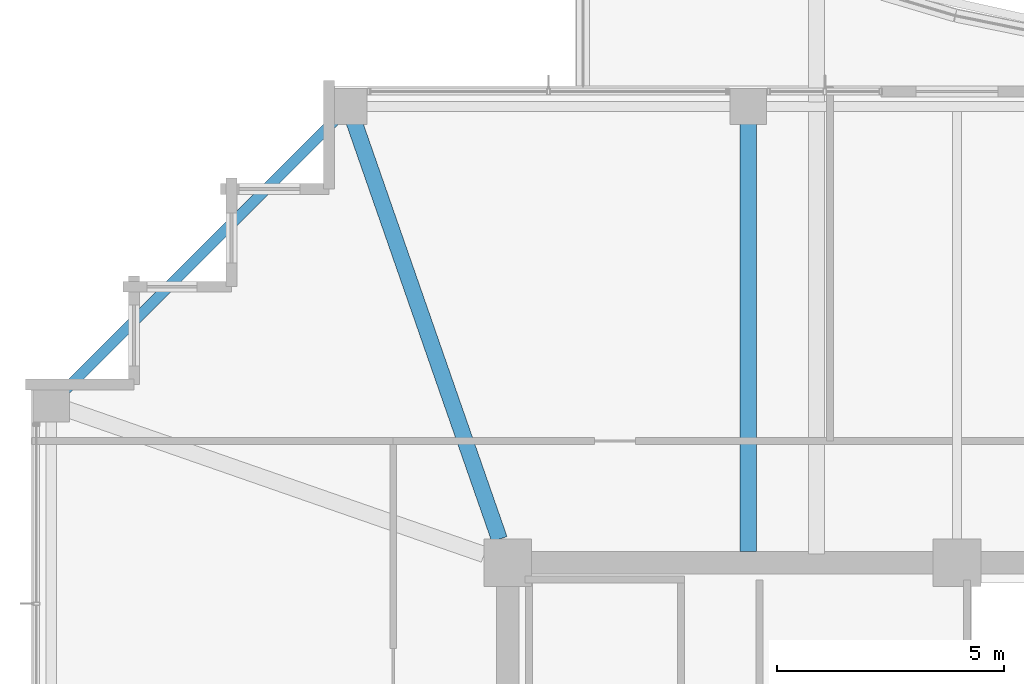
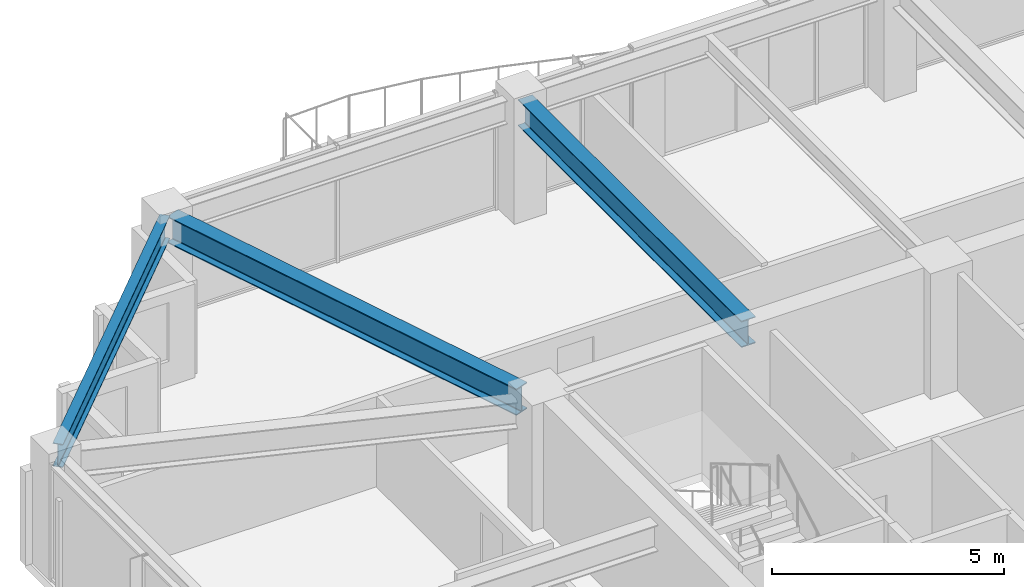
# One storey, part 15 of 36: 3 beams.
"""IFC4 building model written with IfcOpenShell, lengths in metres."""

from ifc_helpers import new_model, si_unit, direction, frame, origin, origin_2d, place, context, subcontext, project, spatial, i_section, extrude, material, material_profile, profile_set, type_object, element, save


model = new_model("IFC4")

# Units and contexts
model_context = context("Model", 3, precision=1e-05, world=origin(), true_north=direction((0.0, 1.0)))
body_context = subcontext(model_context, "Body", "Model", "MODEL_VIEW")
ifc_project = project(units=[si_unit("LENGTHUNIT", "METRE"), si_unit("AREAUNIT", "SQUARE_METRE"), si_unit("VOLUMEUNIT", "CUBIC_METRE"), si_unit("PLANEANGLEUNIT", "RADIAN"), si_unit("MASSUNIT", "GRAM", prefix="KILO")], contexts=[model_context])

# Site, building, storey
site_placement = place(None, origin())
site = spatial("IfcSite", under=ifc_project, at=site_placement, CompositionType="ELEMENT")
building_placement = place(site_placement, origin())
building = spatial("IfcBuilding", under=site, at=building_placement, Name="Kolvaren Belvedere", CompositionType="ELEMENT")
storey_placement = place(building_placement, frame((0.0, 0.0, 199.800048828125)))
storey = spatial("IfcBuildingStorey", under=building, at=storey_placement, Name="L58", CompositionType="ELEMENT", Elevation=199.800048828125)

# Beams
ifc_material_1 = material(Name="Structural steel ASTM A992 Grade 50", Category="steel")
ifc_material_profile_1 = material_profile(ifc_material_1, i_section(OverallWidth=0.35498046875, OverallDepth=0.696044921875, WebThickness=0.015380859375, FlangeThickness=0.02490234375, FilletRadius=0.02197265625, at=origin_2d()), Name="W27X146")
ifc_profile_set_1 = profile_set([ifc_material_profile_1], Name="Structural steel ASTM A992 Grade 50")
beam_type_1 = type_object("IfcBeamType", Name="BM-GIRD-W27X146", PredefinedType="BEAM", material=ifc_profile_set_1)
beam_1_placement = place(storey_placement, frame((-4.60009765625, 10.14990234375, 2.73193359375), z_axis=(0.0, 1.0, 0.0), x_axis=(-1.0, 0.0, 0.0)))
element("IfcBeam", 1, at=beam_1_placement, inside=storey, type_object=beam_type_1, Name="L58 North Radial Girder M", PredefinedType="BEAM", context=body_context, shape_type="SweptSolid", body=[
    extrude(i_section(OverallWidth=0.35498046875, OverallDepth=0.696044921875, WebThickness=0.015380859375, FlangeThickness=0.02490234375, FilletRadius=0.02197265625, at=origin_2d()), origin(), (0.0, 0.0, 1.0), 9.6201171875),
])
beam_2_placement = place(storey_placement, frame((-10.080810546875, 10.41943359375, 2.73193359375), z_axis=(-0.328898147971, 0.944365399758, 0.0), x_axis=(-0.944365399758, -0.328898147971, 0.0)))
element("IfcBeam", 2, at=beam_2_placement, inside=storey, type_object=beam_type_1, Name="L58 Corner Core-to-Perimeter Girder CC4-N1", PredefinedType="BEAM", context=body_context, shape_type="SweptSolid", body=[
    extrude(i_section(OverallWidth=0.35498046875, OverallDepth=0.696044921875, WebThickness=0.015380859375, FlangeThickness=0.02490234375, FilletRadius=0.02197265625, at=origin_2d()), origin(), (0.0, 0.0, 1.0), 9.931884765625),
])
ifc_material_2 = material(Name="Structural steel ASTM A992 Grade 50", Category="steel")
ifc_material_profile_2 = material_profile(ifc_material_2, i_section(OverallWidth=0.22900390625, OverallDepth=0.612060546875, WebThickness=0.011962890625, FlangeThickness=0.01953125, FilletRadius=0.01806640625, at=origin_2d()), Name="W24X84")
ifc_profile_set_2 = profile_set([ifc_material_profile_2], Name="Structural steel ASTM A992 Grade 50")
beam_type_2 = type_object("IfcBeamType", Name="BM-SPAN-W24X84", PredefinedType="SPANDREL", material=ifc_profile_set_2)
beam_3_placement = place(storey_placement, frame((-13.52734375, 19.82275390625, 2.77392578125), z_axis=(-0.707106781187, -0.707106781187, 0.0), x_axis=(0.707106781187, -0.707106781187, 0.0)))
element("IfcBeam", 3, at=beam_3_placement, inside=storey, type_object=beam_type_2, Name="L58 Perimeter Spandrel N1-W4", PredefinedType="SPANDREL", context=body_context, shape_type="SweptSolid", body=[
    extrude(i_section(OverallWidth=0.22900390625, OverallDepth=0.612060546875, WebThickness=0.011962890625, FlangeThickness=0.01953125, FilletRadius=0.01806640625, at=origin_2d()), origin(), (0.0, 0.0, 1.0), 8.903076171875),
])

save(model, "model.ifc")
